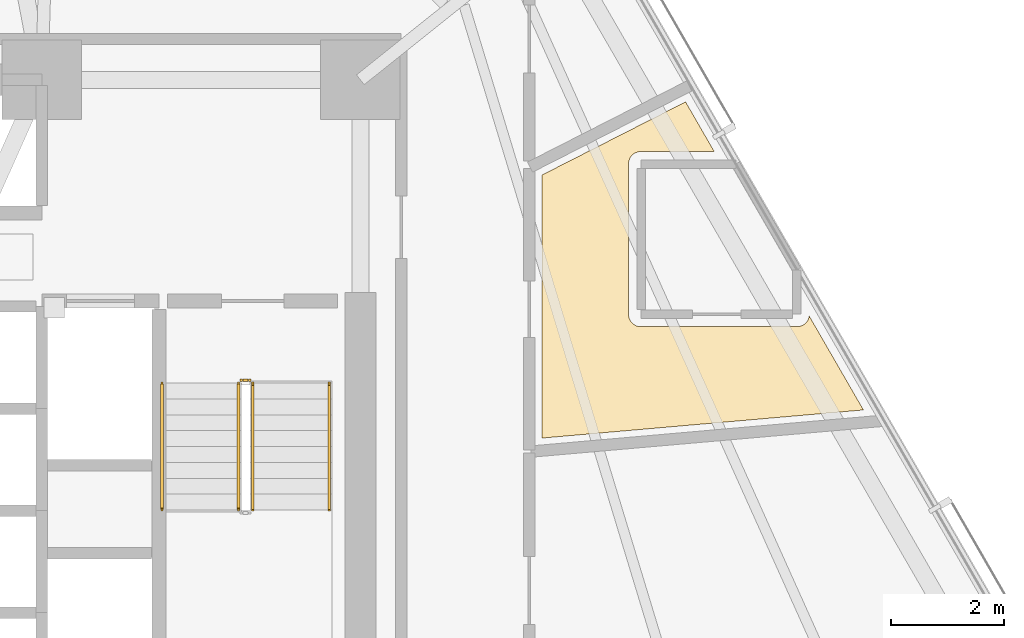
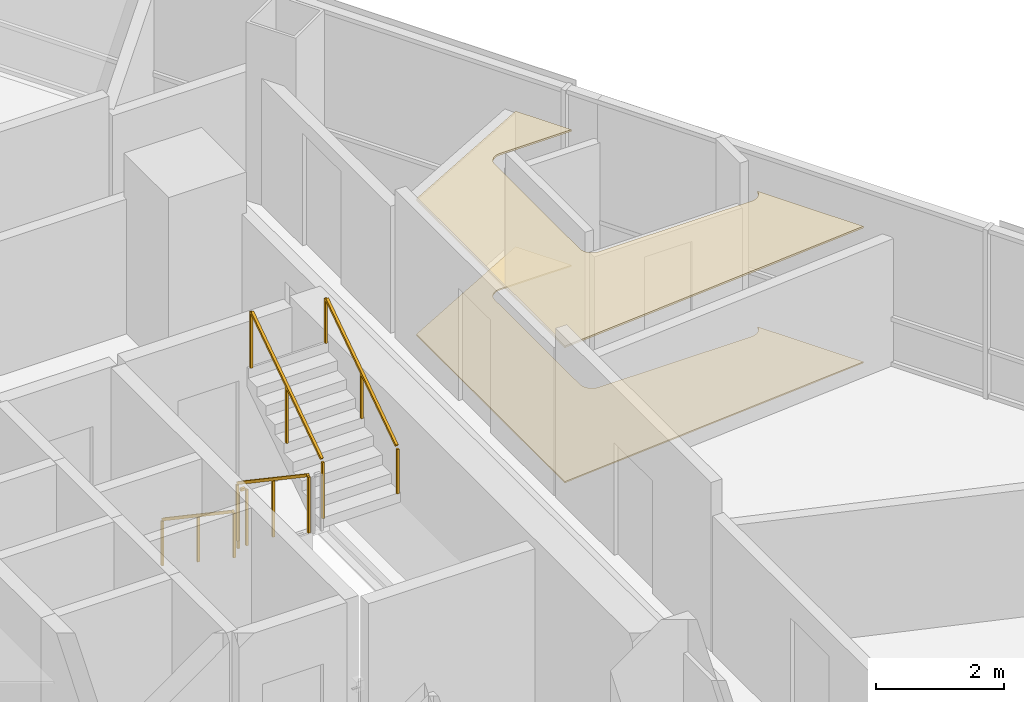
# One storey, part 17 of 18: 5 railings, 2 coverings.
"""IFC4 building model written with IfcOpenShell, lengths in metres."""

import ifcopenshell
import ifcopenshell.guid

model = None  # the IFC model being written
_history = None  # IfcOwnerHistory: only IFC2X3 demands one
_inside = {}  # id of a spatial element -> (the spatial element, [elements in it])
_under = {}  # id of a project, library or spatial element -> (it, [spatial elements below it])
_declared = {}  # id of a project -> (the project, [libraries it declares])
_typed = {}  # id of a type object -> (the type object, [elements of that type])
_made_of = {}  # id of a material, layer set ... -> (it, [elements and type objects made of it])


def new_model(schema):
    """Start an empty IFC model of exactly this schema.

    Asked for "IFC4X3", IfcOpenShell would pick the latest addendum, in which some entities
    have other attributes; the version numbers below select the first issue.
    IFC2X3 requires an IfcOwnerHistory on every rooted entity: one is made here for all.
    """
    global model, _history
    if schema == "IFC4X3":
        model = ifcopenshell.file(schema_version=(4, 3, 0, 0))
    else:
        model = ifcopenshell.file(schema=schema)
    _inside.clear()
    _under.clear()
    _declared.clear()
    _typed.clear()
    _made_of.clear()
    _history = None
    if model.schema == "IFC2X3":
        org = make("IfcOrganization", Name="unknown")
        user = make(
            "IfcPersonAndOrganization",
            ThePerson=make("IfcPerson", FamilyName="unknown"),
            TheOrganization=org,
        )
        app = make(
            "IfcApplication",
            ApplicationDeveloper=org,
            Version="unknown",
            ApplicationFullName="unknown",
            ApplicationIdentifier="unknown",
        )
        _history = make(
            "IfcOwnerHistory",
            OwningUser=user,
            OwningApplication=app,
            ChangeAction="ADDED",
            CreationDate=0,
        )
    return model


def make(cls, **values):
    """One entity of the class cls with the attributes given. An attribute that is None is left unset."""
    return model.create_entity(
        cls, **{name: value for name, value in values.items() if value is not None}
    )


def rooted(cls, **values):
    """An entity with a GlobalId (a new one), such as an element, a storey or a relation."""
    return make(cls, GlobalId=ifcopenshell.guid.new(), OwnerHistory=_history, **values)


def si_unit(unit_type, name, prefix=None):
    """IfcSIUnit, for example si_unit("LENGTHUNIT", "METRE", prefix="MILLI")."""
    return make("IfcSIUnit", UnitType=unit_type, Prefix=prefix, Name=name)


def assignment(units):
    """IfcUnitAssignment: the units of a project."""
    return None if units is None else make("IfcUnitAssignment", Units=units)


def point(xyz):
    """IfcCartesianPoint."""
    return None if xyz is None else make("IfcCartesianPoint", Coordinates=xyz)


def direction(xyz):
    """IfcDirection."""
    return None if xyz is None else make("IfcDirection", DirectionRatios=xyz)


def frame(location, z_axis=None, x_axis=None):
    """IfcAxis2Placement3D, a coordinate frame: its origin and axes. An axis left out is left unset."""
    return make(
        "IfcAxis2Placement3D",
        Location=point(location),
        Axis=direction(z_axis),
        RefDirection=direction(x_axis),
    )


def frame_2d(location, x_axis=None):
    """IfcAxis2Placement2D, a coordinate frame in the plane: its origin and x axis."""
    return make(
        "IfcAxis2Placement2D", Location=point(location), RefDirection=direction(x_axis)
    )


def origin():
    """The frame at (0, 0, 0) with its axes left unset."""
    return frame((0.0, 0.0, 0.0))


def origin_2d():
    """The frame at (0, 0) in the plane with its x axis left unset."""
    return frame_2d((0.0, 0.0))


def place(relative_to, where):
    """IfcLocalPlacement: puts the frame where relative to a parent placement (None: the world)."""
    return make(
        "IfcLocalPlacement", PlacementRelTo=relative_to, RelativePlacement=where
    )


def context(
    kind, dimensions, precision=None, world=None, true_north=None, identifier=None
):
    """IfcGeometricRepresentationContext, for example the 3D "Model" context."""
    return make(
        "IfcGeometricRepresentationContext",
        ContextIdentifier=identifier,
        ContextType=kind,
        CoordinateSpaceDimension=dimensions,
        Precision=precision,
        WorldCoordinateSystem=world,
        TrueNorth=true_north,
    )


def subcontext(parent, identifier, kind, view, scale=None):
    """IfcGeometricRepresentationSubContext, for example "Body" below "Model"."""
    return make(
        "IfcGeometricRepresentationSubContext",
        ContextIdentifier=identifier,
        ContextType=kind,
        ParentContext=parent,
        TargetScale=scale,
        TargetView=view,
    )


def project(units=None, contexts=None):
    """IfcProject with its units and contexts."""
    return rooted(
        "IfcProject",
        Name="project",
        RepresentationContexts=contexts,
        UnitsInContext=assignment(units),
    )


def spatial(cls, under=None, at=None, **own):
    """A site, building, storey or space (cls), placed at a placement, below another one or the project."""
    s = rooted(cls, ObjectPlacement=at, **own)
    if under is not None:
        _under.setdefault(under.id(), (under, []))[1].append(s)
    return s


def polyline(points):
    """IfcPolyline through the points."""
    return make("IfcPolyline", Points=[point(p) for p in points])


def profile(cls, at=None, kind="AREA", **sizes):
    """A parametric profile (cls). Its sizes go by their IFC names, for example OverallWidth=200.0."""
    return make(cls, ProfileType=kind, Position=at, **sizes)


def rectangle(**sizes):
    """IfcRectangleProfileDef."""
    return profile("IfcRectangleProfileDef", **sizes)


def outline(outer, holes=None, kind="AREA"):
    """IfcArbitraryClosedProfileDef: a profile drawn as a closed curve; with holes, ...WithVoids."""
    if holes is None:
        return make("IfcArbitraryClosedProfileDef", ProfileType=kind, OuterCurve=outer)
    return make(
        "IfcArbitraryProfileDefWithVoids",
        ProfileType=kind,
        OuterCurve=outer,
        InnerCurves=holes,
    )


def extrude(swept, where, along, depth):
    """IfcExtrudedAreaSolid: the profile swept, set in the frame where, extruded along a direction by depth."""
    return make(
        "IfcExtrudedAreaSolid",
        SweptArea=swept,
        Position=where,
        ExtrudedDirection=direction(along),
        Depth=depth,
    )


def shape(context_of_items, identifier, shape_type, items):
    """IfcShapeRepresentation: the items that make up one representation, for example the "Body"."""
    return make(
        "IfcShapeRepresentation",
        ContextOfItems=context_of_items,
        RepresentationIdentifier=identifier,
        RepresentationType=shape_type,
        Items=items,
    )


def material(Name=None, Category=None):
    """IfcMaterial."""
    return make("IfcMaterial", Name=Name, Category=Category)


def layer(
    of_material, thickness, ventilated=None, Name=None, Category=None, Priority=None
):
    """IfcMaterialLayer: one layer of a wall or slab, of a material (None: an air gap)."""
    return make(
        "IfcMaterialLayer",
        Material=of_material,
        LayerThickness=thickness,
        IsVentilated=ventilated,
        Name=Name,
        Category=Category,
        Priority=Priority,
    )


def layer_set(layers, Name=None):
    """IfcMaterialLayerSet."""
    return make("IfcMaterialLayerSet", MaterialLayers=layers, LayerSetName=Name)


def made_of(thing, what):
    """Note that an element or type object is made of a material, layer set ...; save() writes the relation."""
    if what is not None:
        _made_of.setdefault(what.id(), (what, []))[1].append(thing)
    return thing


def type_object(cls, material=None, **own):
    """A type object (cls), such as IfcWallType, which elements share."""
    return made_of(rooted(cls, **own), material)


def element(
    cls,
    number,
    at=None,
    inside=None,
    cuts=None,
    type_object=None,
    material=None,
    context=None,
    identifier="Body",
    shape_type=None,
    held_by="IfcProductDefinitionShape",
    body=None,
    shapes=None,
    **own,
):
    """One element of the class cls, such as IfcWall. Its Tag is "e" and its number.

    at: its placement. inside: the storey or other place that contains it. cuts: it is an
    opening in that element (IfcRelVoidsElement). A single representation is given by context,
    identifier, shape_type and body (its items); several are given by shapes. held_by: the class
    of the entity that holds the representations. save() writes the other relations.
    """
    e = rooted(cls, Tag="e%d" % number, ObjectPlacement=at, **own)
    if body is not None:
        shapes = [shape(context, identifier, shape_type, body)]
    if shapes is not None:
        e.Representation = make(held_by, Representations=shapes)
    if inside is not None:
        _inside.setdefault(inside.id(), (inside, []))[1].append(e)
    if cuts is not None:
        rooted(
            "IfcRelVoidsElement", RelatingBuildingElement=cuts, RelatedOpeningElement=e
        )
    if type_object is not None:
        _typed.setdefault(type_object.id(), (type_object, []))[1].append(e)
    return made_of(e, material)


def aggregate(whole, parts):
    """IfcRelAggregates: a whole, such as a stair, and the parts it consists of."""
    return rooted("IfcRelAggregates", RelatingObject=whole, RelatedObjects=parts)


def save(model, path):
    """Write the relations noted so far, then the file.

    IfcRelAggregates (storeys below a building ...), IfcRelContainedInSpatialStructure (elements
    in a storey), IfcRelDefinesByType, IfcRelAssociatesMaterial and IfcRelDeclares: one each for
    every whole, place, type object, material and project.
    """
    for whole, parts in _under.values():
        aggregate(whole, parts)
    for where, things in _inside.values():
        rooted(
            "IfcRelContainedInSpatialStructure",
            RelatedElements=things,
            RelatingStructure=where,
        )
    for kind, things in _typed.values():
        rooted("IfcRelDefinesByType", RelatedObjects=things, RelatingType=kind)
    for what, things in _made_of.values():
        rooted("IfcRelAssociatesMaterial", RelatedObjects=things, RelatingMaterial=what)
    for by, libraries in _declared.values():
        rooted("IfcRelDeclares", RelatingContext=by, RelatedDefinitions=libraries)
    model.write(path)


model = new_model("IFC4")

# Units and contexts
model_context = context("Model", 3, precision=1e-05, world=origin(), true_north=direction((0.0, 1.0)))
body_context = subcontext(model_context, "Body", "Model", "MODEL_VIEW")
ifc_project = project(units=[si_unit("LENGTHUNIT", "METRE"), si_unit("AREAUNIT", "SQUARE_METRE"), si_unit("VOLUMEUNIT", "CUBIC_METRE"), si_unit("PLANEANGLEUNIT", "RADIAN"), si_unit("MASSUNIT", "GRAM", prefix="KILO")], contexts=[model_context])

# Site, building, storey
site_placement = place(None, origin())
site = spatial("IfcSite", under=ifc_project, at=site_placement, CompositionType="ELEMENT")
building_placement = place(site_placement, origin())
building = spatial("IfcBuilding", under=site, at=building_placement, Name="Tharavind Bronze Gate", CompositionType="ELEMENT")
storey_placement = place(building_placement, frame((0.0, 0.0, 38.64990234375)))
storey = spatial("IfcBuildingStorey", under=building, at=storey_placement, Name="L08", CompositionType="ELEMENT", Elevation=38.64990234375)

# Coverings
ifc_material_1 = material(Name="Engineered Oak & Carpet Tile", Category="wood")
ifc_layer_1 = layer(ifc_material_1, 0.02490234375)
ifc_layer_set_1 = layer_set([ifc_layer_1], Name="Engineered Oak & Carpet Tile")
covering_type_1 = type_object("IfcCoveringType", Name="ENGINEERED TIMBER FLOORING", PredefinedType="FLOORING", material=ifc_layer_set_1)
covering_1_placement = place(storey_placement, origin())
element("IfcCovering", 1, at=covering_1_placement, inside=storey, type_object=covering_type_1, Name="L08-RM-01 floor finish", PredefinedType="FLOORING", context=body_context, shape_type="SweptSolid", body=[
    extrude(outline(polyline([(17.773193359375, 1.77587890625), (16.8173828125, 3.431640625), (16.81591796875, 3.42138671875), (16.810546875, 3.400390625), (16.80322265625, 3.380126953125), (16.7939453125, 3.360595703125), (16.782958984375, 3.342041015625), (16.77001953125, 3.32470703125), (16.755615234375, 3.30859375), (16.739501953125, 3.294189453125), (16.72216796875, 3.281494140625), (16.70361328125, 3.270263671875), (16.68408203125, 3.260986328125), (16.663818359375, 3.25390625), (16.642822265625, 3.24853515625), (16.62158203125, 3.245361328125), (16.60009765625, 3.244384765625), (13.85009765625, 3.244384765625), (13.828369140625, 3.245361328125), (13.80712890625, 3.24853515625), (13.7861328125, 3.25390625), (13.765869140625, 3.260986328125), (13.746337890625, 3.270263671875), (13.727783203125, 3.281494140625), (13.71044921875, 3.294189453125), (13.6943359375, 3.30859375), (13.679931640625, 3.32470703125), (13.6669921875, 3.342041015625), (13.656005859375, 3.360595703125), (13.646728515625, 3.380126953125), (13.639404296875, 3.400390625), (13.63427734375, 3.42138671875), (13.631103515625, 3.442626953125), (13.6298828125, 3.46435546875), (13.6298828125, 6.1142578125), (13.631103515625, 6.135986328125), (13.63427734375, 6.1572265625), (13.639404296875, 6.17822265625), (13.646728515625, 6.198486328125), (13.656005859375, 6.218017578125), (13.6669921875, 6.236572265625), (13.679931640625, 6.25390625), (13.6943359375, 6.27001953125), (13.71044921875, 6.284423828125), (13.727783203125, 6.297119140625), (13.746337890625, 6.308349609375), (13.765869140625, 6.317626953125), (13.7861328125, 6.32470703125), (13.80712890625, 6.330078125), (13.828369140625, 6.333251953125), (13.85009765625, 6.334228515625), (15.141357421875, 6.334228515625), (14.6357421875, 7.210205078125), (12.10009765625, 5.918212890625), (12.10009765625, 1.279541015625), (17.773193359375, 1.77587890625)])), origin(), (0.0, 0.0, 1.0), 0.025146484375),
])
ifc_material_2 = material(Name="Acoustic Gypsum Board", Category="gypsum")
ifc_layer_2 = layer(ifc_material_2, 0.030029296875)
ifc_layer_set_2 = layer_set([ifc_layer_2], Name="Acoustic Gypsum Board")
covering_type_2 = type_object("IfcCoveringType", Name="GYPSUM SUSPENDED CEILING", PredefinedType="CEILING", material=ifc_layer_set_2)
covering_2_placement = place(storey_placement, frame((0.0, 0.0, 2.5751953125)))
element("IfcCovering", 2, at=covering_2_placement, inside=storey, type_object=covering_type_2, Name="L08-RM-01 suspended ceiling", PredefinedType="CEILING", context=body_context, shape_type="SweptSolid", body=[
    extrude(outline(polyline([(17.773193359375, 1.77587890625), (16.8173828125, 3.431640625), (16.81591796875, 3.42138671875), (16.810546875, 3.400390625), (16.80322265625, 3.380126953125), (16.7939453125, 3.360595703125), (16.782958984375, 3.342041015625), (16.77001953125, 3.32470703125), (16.755615234375, 3.30859375), (16.739501953125, 3.294189453125), (16.72216796875, 3.281494140625), (16.70361328125, 3.270263671875), (16.68408203125, 3.260986328125), (16.663818359375, 3.25390625), (16.642822265625, 3.24853515625), (16.62158203125, 3.245361328125), (16.60009765625, 3.244384765625), (13.85009765625, 3.244384765625), (13.828369140625, 3.245361328125), (13.80712890625, 3.24853515625), (13.7861328125, 3.25390625), (13.765869140625, 3.260986328125), (13.746337890625, 3.270263671875), (13.727783203125, 3.281494140625), (13.71044921875, 3.294189453125), (13.6943359375, 3.30859375), (13.679931640625, 3.32470703125), (13.6669921875, 3.342041015625), (13.656005859375, 3.360595703125), (13.646728515625, 3.380126953125), (13.639404296875, 3.400390625), (13.63427734375, 3.42138671875), (13.631103515625, 3.442626953125), (13.6298828125, 3.46435546875), (13.6298828125, 6.1142578125), (13.631103515625, 6.135986328125), (13.63427734375, 6.1572265625), (13.639404296875, 6.17822265625), (13.646728515625, 6.198486328125), (13.656005859375, 6.218017578125), (13.6669921875, 6.236572265625), (13.679931640625, 6.25390625), (13.6943359375, 6.27001953125), (13.71044921875, 6.284423828125), (13.727783203125, 6.297119140625), (13.746337890625, 6.308349609375), (13.765869140625, 6.317626953125), (13.7861328125, 6.32470703125), (13.80712890625, 6.330078125), (13.828369140625, 6.333251953125), (13.85009765625, 6.334228515625), (15.141357421875, 6.334228515625), (14.6357421875, 7.210205078125), (12.10009765625, 5.918212890625), (12.10009765625, 1.279541015625), (17.773193359375, 1.77587890625)])), origin(), (0.0, 0.0, 1.0), 0.034912109375),
])

# Railings
ifc_material_3 = material(Name="Brushed Bronze Alloy", Category="metal")
railing_type_1 = type_object("IfcRailingType", Name="STAIR BRONZE HANDRAIL 900", PredefinedType="HANDRAIL", material=ifc_material_3)
railing_1_placement = place(storey_placement, frame((5.39990234375, 2.25, 0.18896484375)))
element("IfcRailing", 3, at=railing_1_placement, inside=storey, type_object=railing_type_1, Name="L08 ST2 stair handrail 1", PredefinedType="HANDRAIL", context=body_context, shape_type="SweptSolid", body=[
    extrude(rectangle(XDim=0.048095703125, YDim=0.048095703125, at=origin_2d()), frame((0.0, -0.026611328125, 0.893798828125), z_axis=(0.0, -0.828979582247, 0.559278868023), x_axis=(1.0, 0.0, 0.0)), (0.0, 0.0, 1.0), 2.63818359375),
    extrude(rectangle(XDim=0.0400390625, YDim=0.0400390625, at=origin_2d()), origin(), (0.0, 0.0, 1.0), 0.847900390625),
    extrude(rectangle(XDim=0.0400390625, YDim=0.0400390625, at=origin_2d()), frame((0.0, -1.1201171875, 0.755615234375)), (0.0, 0.0, 1.0), 0.847900390625),
    extrude(rectangle(XDim=0.0400390625, YDim=0.0400390625, at=origin_2d()), frame((0.0, -2.239990234375, 1.51123046875)), (0.0, 0.0, 1.0), 0.847900390625),
])
railing_2_placement = place(storey_placement, frame((8.35009765625, 0.010009765625, 1.888916015625)))
element("IfcRailing", 4, at=railing_2_placement, inside=storey, type_object=railing_type_1, Name="L08 ST2 stair handrail 2", PredefinedType="HANDRAIL", context=body_context, shape_type="SweptSolid", body=[
    extrude(rectangle(XDim=0.048095703125, YDim=0.048095703125, at=origin_2d()), frame((0.0, 0.026611328125, 0.893798828125), z_axis=(0.0, 0.828979582247, 0.559278868023), x_axis=(-1.0, 0.0, 0.0)), (0.0, 0.0, 1.0), 2.63818359375),
    extrude(rectangle(XDim=0.0400390625, YDim=0.0400390625, at=origin_2d()), origin(), (0.0, 0.0, 1.0), 0.847900390625),
    extrude(rectangle(XDim=0.0400390625, YDim=0.0400390625, at=origin_2d()), frame((0.0, 1.1201171875, 0.755615234375)), (0.0, 0.0, 1.0), 0.847900390625),
    extrude(rectangle(XDim=0.0400390625, YDim=0.0400390625, at=origin_2d()), frame((0.0, 2.239990234375, 1.51123046875)), (0.0, 0.0, 1.0), 0.847900390625),
])
railing_type_2 = type_object("IfcRailingType", Name="STAIR WELL GUARD RAILING 1120", PredefinedType="GUARDRAIL", material=ifc_material_3)
railing_3_placement = place(storey_placement, frame((6.75, 2.25, 0.18896484375)))
element("IfcRailing", 5, at=railing_3_placement, inside=storey, type_object=railing_type_2, Name="L08 ST2 stair guard 1", PredefinedType="GUARDRAIL", context=body_context, shape_type="SweptSolid", body=[
    extrude(rectangle(XDim=0.048095703125, YDim=0.048095703125, at=origin_2d()), frame((0.0, -0.026611328125, 1.114013671875), z_axis=(0.0, -0.828979582247, 0.559278868023), x_axis=(1.0, 0.0, 0.0)), (0.0, 0.0, 1.0), 2.63818359375),
    extrude(rectangle(XDim=0.0400390625, YDim=0.0400390625, at=origin_2d()), origin(), (0.0, 0.0, 1.0), 1.068115234375),
    extrude(rectangle(XDim=0.0400390625, YDim=0.0400390625, at=origin_2d()), frame((0.0, -1.1201171875, 0.755615234375)), (0.0, 0.0, 1.0), 1.068115234375),
    extrude(rectangle(XDim=0.0400390625, YDim=0.0400390625, at=origin_2d()), frame((0.0, -2.239990234375, 1.51123046875)), (0.0, 0.0, 1.0), 1.068115234375),
])
railing_4_placement = place(storey_placement, frame((7.0, 0.010009765625, 1.888916015625)))
element("IfcRailing", 6, at=railing_4_placement, inside=storey, type_object=railing_type_2, Name="L08 ST2 stair guard 3", PredefinedType="GUARDRAIL", context=body_context, shape_type="SweptSolid", body=[
    extrude(rectangle(XDim=0.048095703125, YDim=0.048095703125, at=origin_2d()), frame((0.0, 0.026611328125, 1.114013671875), z_axis=(0.0, 0.828979582247, 0.559278868023), x_axis=(-1.0, 0.0, 0.0)), (0.0, 0.0, 1.0), 2.63818359375),
    extrude(rectangle(XDim=0.0400390625, YDim=0.0400390625, at=origin_2d()), origin(), (0.0, 0.0, 1.0), 1.068115234375),
    extrude(rectangle(XDim=0.0400390625, YDim=0.0400390625, at=origin_2d()), frame((0.0, 1.1201171875, 0.755615234375)), (0.0, 0.0, 1.0), 1.068115234375),
    extrude(rectangle(XDim=0.0400390625, YDim=0.0400390625, at=origin_2d()), frame((0.0, 2.239990234375, 1.51123046875)), (0.0, 0.0, 1.0), 1.068115234375),
])
railing_5_placement = place(storey_placement, frame((6.800048828125, 2.300048828125, 0.0)))
element("IfcRailing", 7, at=railing_5_placement, inside=storey, type_object=railing_type_2, Name="L08 ST2 stair guard 4", PredefinedType="GUARDRAIL", context=body_context, shape_type="SweptSolid", body=[
    extrude(rectangle(XDim=0.048095703125, YDim=0.048095703125, at=origin_2d()), frame((0.031982421875, 0.0, 1.09619140625), z_axis=(1.0, 0.0, 0.0), x_axis=(0.0, 1.0, 0.0)), (0.0, 0.0, 1.0), 0.0859375),
    extrude(rectangle(XDim=0.0400390625, YDim=0.0400390625, at=origin_2d()), origin(), (0.0, 0.0, 1.0), 1.068115234375),
    extrude(rectangle(XDim=0.0400390625, YDim=0.0400390625, at=origin_2d()), frame((0.14990234375, 0.0, 0.0)), (0.0, 0.0, 1.0), 1.068115234375),
])

save(model, "model.ifc")
